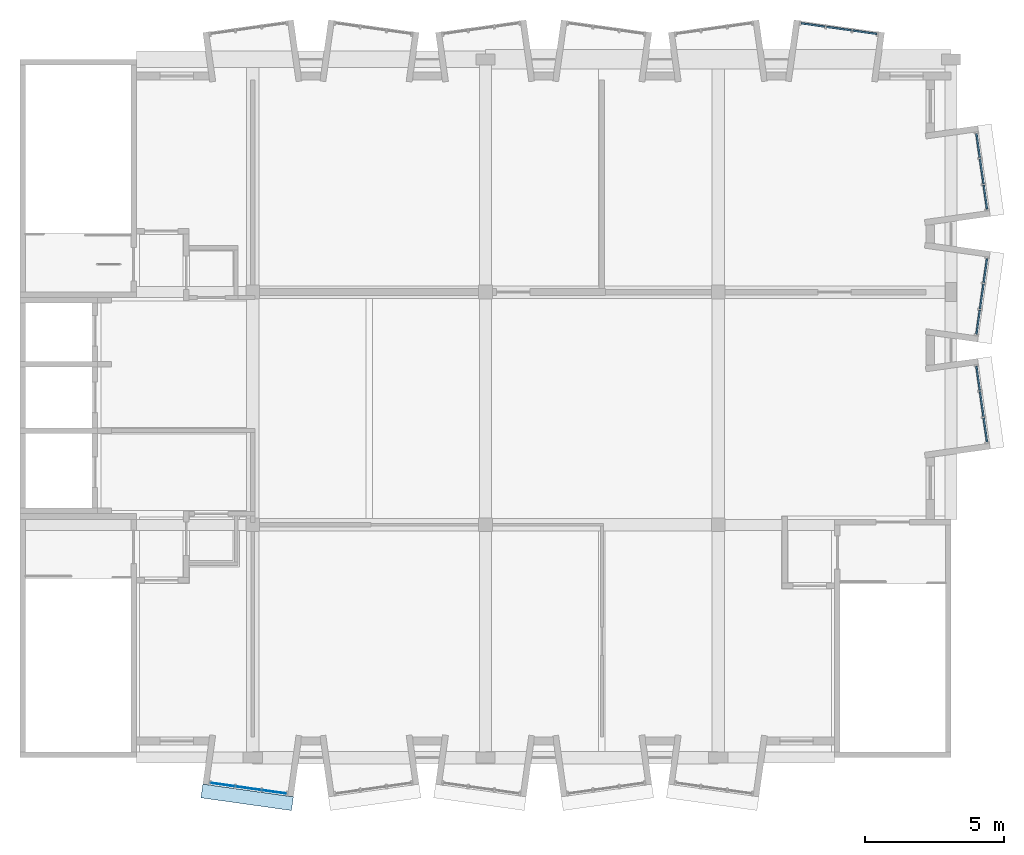
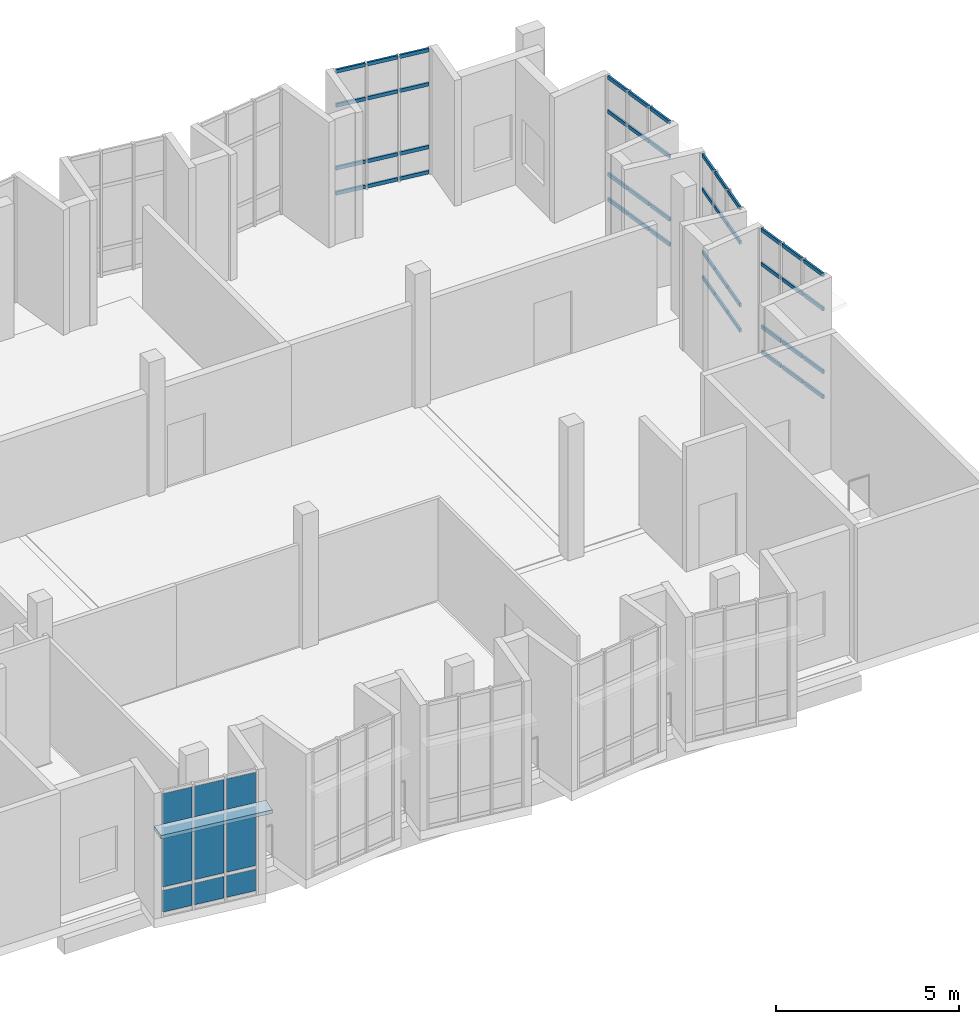
# One storey, part 7 of 15: 48 members, 10 plates, 5 elements without a shape of their own.
"""IFC4 building model written with IfcOpenShell, lengths in metres."""

from ifc_helpers import new_model, si_unit, direction, frame, origin, origin_2d, place, context, subcontext, project, spatial, polyline, rectangle, outline, extrude, material, layer, layer_set, material_profile, profile_set, type_object, element, aggregate, save


model = new_model("IFC4")

# Units and contexts
model_context = context("Model", 3, precision=1e-05, world=origin(), true_north=direction((0.0, 1.0)))
body_context = subcontext(model_context, "Body", "Model", "MODEL_VIEW")
ifc_project = project(units=[si_unit("LENGTHUNIT", "METRE"), si_unit("AREAUNIT", "SQUARE_METRE"), si_unit("VOLUMEUNIT", "CUBIC_METRE"), si_unit("PLANEANGLEUNIT", "RADIAN"), si_unit("MASSUNIT", "GRAM", prefix="KILO")], contexts=[model_context])

# Site, building, storey
site_placement = place(None, origin())
site = spatial("IfcSite", under=ifc_project, at=site_placement, CompositionType="ELEMENT")
building_placement = place(site_placement, origin())
building = spatial("IfcBuilding", under=site, at=building_placement, Name="Kiln Court Media Centre", CompositionType="ELEMENT")
storey_placement = place(building_placement, frame((0.0, 0.0, 38.10009765625)))
storey = spatial("IfcBuildingStorey", under=building, at=storey_placement, Name="L08", CompositionType="ELEMENT", Elevation=38.10009765625)

# Curtain wall, members
ifc_material_1 = material(Name="Aluminium 6063-T6", Category="aluminium")
ifc_layer_1 = layer(ifc_material_1, 0.1201171875)
ifc_layer_set_1 = layer_set([ifc_layer_1], Name="Aluminium unitised bay curtain wall")
curtain_wall_type = type_object("IfcCurtainWallType", Name="Aluminium unitised bay curtain wall", PredefinedType="USERDEFINED", material=ifc_layer_set_1)
curtain_wall_1_placement = place(storey_placement, origin())
curtain_wall_1 = element("IfcCurtainWall", 1, at=curtain_wall_1_placement, inside=storey, type_object=curtain_wall_type, Name="BAY V6A-E-L08-20 front", ObjectType="UNITISED CURTAIN WALL", PredefinedType="USERDEFINED")
ifc_material_2 = material(Name="Aluminium 6063-T6", Category="aluminium")
ifc_material_profile = material_profile(ifc_material_2, rectangle(XDim=0.06005859375, YDim=0.1201171875, at=origin_2d()), Name="Aluminium transom 60x120")
ifc_profile_set = profile_set([ifc_material_profile], Name="Aluminium 6063-T6")
member_type = type_object("IfcMemberType", Name="Aluminium transom 60x120", PredefinedType="USERDEFINED", material=ifc_profile_set)
member_1_placement = place(storey_placement, frame((34.900390625, 11.394287109375, 0.059814453125), z_axis=(-0.139172815303, 0.990268108888, 0.0), x_axis=(-0.990268108888, -0.139172815303, 0.0)))
member_1 = element("IfcMember", 2, at=member_1_placement, type_object=member_type, Name="CW8-01 transom 1.1", ObjectType="TRANSOM", PredefinedType="USERDEFINED", context=body_context, shape_type="SweptSolid", body=[
    extrude(rectangle(XDim=0.06005859375, YDim=0.1201171875, at=origin_2d()), origin(), (0.0, 0.0, 1.0), 0.86669921875),
])
member_2_placement = place(storey_placement, frame((34.900390625, 11.394287109375, 0.89990234375), z_axis=(-0.139172815303, 0.990268108888, 0.0), x_axis=(-0.990268108888, -0.139172815303, 0.0)))
member_2 = element("IfcMember", 3, at=member_2_placement, type_object=member_type, Name="CW8-01 transom 1.2", ObjectType="TRANSOM", PredefinedType="USERDEFINED", context=body_context, shape_type="SweptSolid", body=[
    extrude(rectangle(XDim=0.06005859375, YDim=0.1201171875, at=origin_2d()), origin(), (0.0, 0.0, 1.0), 0.86669921875),
])
member_3_placement = place(storey_placement, frame((34.900390625, 11.394287109375, 3.0), z_axis=(-0.139172815303, 0.990268108888, 0.0), x_axis=(-0.990268108888, -0.139172815303, 0.0)))
member_3 = element("IfcMember", 4, at=member_3_placement, type_object=member_type, Name="CW8-01 transom 1.3", ObjectType="TRANSOM", PredefinedType="USERDEFINED", context=body_context, shape_type="SweptSolid", body=[
    extrude(rectangle(XDim=0.06005859375, YDim=0.1201171875, at=origin_2d()), origin(), (0.0, 0.0, 1.0), 0.86669921875),
])
member_4_placement = place(storey_placement, frame((34.900390625, 11.394287109375, 4.139892578125), z_axis=(-0.139172815303, 0.990268108888, 0.0), x_axis=(-0.990268108888, -0.139172815303, 0.0)))
member_4 = element("IfcMember", 5, at=member_4_placement, type_object=member_type, Name="CW8-01 transom 1.4", ObjectType="TRANSOM", PredefinedType="USERDEFINED", context=body_context, shape_type="SweptSolid", body=[
    extrude(rectangle(XDim=0.06005859375, YDim=0.1201171875, at=origin_2d()), origin(), (0.0, 0.0, 1.0), 0.86669921875),
])
member_5_placement = place(storey_placement, frame((34.771484375, 12.311767578125, 0.059814453125), z_axis=(-0.13913384707, 0.990273584723, 0.0), x_axis=(-0.990273584723, -0.13913384707, 0.0)))
member_5 = element("IfcMember", 6, at=member_5_placement, type_object=member_type, Name="CW8-01 transom 2.1", ObjectType="TRANSOM", PredefinedType="USERDEFINED", context=body_context, shape_type="SweptSolid", body=[
    extrude(rectangle(XDim=0.06005859375, YDim=0.1201171875, at=origin_2d()), origin(), (0.0, 0.0, 1.0), 0.896728515625),
])
member_6_placement = place(storey_placement, frame((34.771484375, 12.311767578125, 0.89990234375), z_axis=(-0.13913384707, 0.990273584723, 0.0), x_axis=(-0.990273584723, -0.13913384707, 0.0)))
member_6 = element("IfcMember", 7, at=member_6_placement, type_object=member_type, Name="CW8-01 transom 2.2", ObjectType="TRANSOM", PredefinedType="USERDEFINED", context=body_context, shape_type="SweptSolid", body=[
    extrude(rectangle(XDim=0.06005859375, YDim=0.1201171875, at=origin_2d()), origin(), (0.0, 0.0, 1.0), 0.896728515625),
])
member_7_placement = place(storey_placement, frame((34.771484375, 12.311767578125, 3.0), z_axis=(-0.13913384707, 0.990273584723, 0.0), x_axis=(-0.990273584723, -0.13913384707, 0.0)))
member_7 = element("IfcMember", 8, at=member_7_placement, type_object=member_type, Name="CW8-01 transom 2.3", ObjectType="TRANSOM", PredefinedType="USERDEFINED", context=body_context, shape_type="SweptSolid", body=[
    extrude(rectangle(XDim=0.06005859375, YDim=0.1201171875, at=origin_2d()), origin(), (0.0, 0.0, 1.0), 0.896728515625),
])
member_8_placement = place(storey_placement, frame((34.771484375, 12.311767578125, 4.139892578125), z_axis=(-0.13913384707, 0.990273584723, 0.0), x_axis=(-0.990273584723, -0.13913384707, 0.0)))
member_8 = element("IfcMember", 9, at=member_8_placement, type_object=member_type, Name="CW8-01 transom 2.4", ObjectType="TRANSOM", PredefinedType="USERDEFINED", context=body_context, shape_type="SweptSolid", body=[
    extrude(rectangle(XDim=0.06005859375, YDim=0.1201171875, at=origin_2d()), origin(), (0.0, 0.0, 1.0), 0.896728515625),
])
member_9_placement = place(storey_placement, frame((34.638427734375, 13.25927734375, 0.059814453125), z_axis=(-0.139172815303, 0.990268108888, 0.0), x_axis=(-0.990268108888, -0.139172815303, 0.0)))
member_9 = element("IfcMember", 10, at=member_9_placement, type_object=member_type, Name="CW8-01 transom 3.1", ObjectType="TRANSOM", PredefinedType="USERDEFINED", context=body_context, shape_type="SweptSolid", body=[
    extrude(rectangle(XDim=0.06005859375, YDim=0.1201171875, at=origin_2d()), origin(), (0.0, 0.0, 1.0), 0.86669921875),
])
member_10_placement = place(storey_placement, frame((34.638427734375, 13.25927734375, 0.89990234375), z_axis=(-0.139172815303, 0.990268108888, 0.0), x_axis=(-0.990268108888, -0.139172815303, 0.0)))
member_10 = element("IfcMember", 11, at=member_10_placement, type_object=member_type, Name="CW8-01 transom 3.2", ObjectType="TRANSOM", PredefinedType="USERDEFINED", context=body_context, shape_type="SweptSolid", body=[
    extrude(rectangle(XDim=0.06005859375, YDim=0.1201171875, at=origin_2d()), origin(), (0.0, 0.0, 1.0), 0.86669921875),
])
member_11_placement = place(storey_placement, frame((34.638427734375, 13.25927734375, 3.0), z_axis=(-0.139172815303, 0.990268108888, 0.0), x_axis=(-0.990268108888, -0.139172815303, 0.0)))
member_11 = element("IfcMember", 12, at=member_11_placement, type_object=member_type, Name="CW8-01 transom 3.3", ObjectType="TRANSOM", PredefinedType="USERDEFINED", context=body_context, shape_type="SweptSolid", body=[
    extrude(rectangle(XDim=0.06005859375, YDim=0.1201171875, at=origin_2d()), origin(), (0.0, 0.0, 1.0), 0.86669921875),
])
member_12_placement = place(storey_placement, frame((34.638427734375, 13.25927734375, 4.139892578125), z_axis=(-0.139172815303, 0.990268108888, 0.0), x_axis=(-0.990268108888, -0.139172815303, 0.0)))
member_12 = element("IfcMember", 13, at=member_12_placement, type_object=member_type, Name="CW8-01 transom 3.4", ObjectType="TRANSOM", PredefinedType="USERDEFINED", context=body_context, shape_type="SweptSolid", body=[
    extrude(rectangle(XDim=0.06005859375, YDim=0.1201171875, at=origin_2d()), origin(), (0.0, 0.0, 1.0), 0.86669921875),
])
aggregate(curtain_wall_1, [member_1, member_2, member_3, member_4, member_5, member_6, member_7, member_8, member_9, member_10, member_11, member_12])

curtain_wall_2_placement = place(storey_placement, origin())
curtain_wall_2 = element("IfcCurtainWall", 14, at=curtain_wall_2_placement, inside=storey, type_object=curtain_wall_type, Name="BAY V6A-E-L08-21 front", ObjectType="UNITISED CURTAIN WALL", PredefinedType="USERDEFINED")
member_13_placement = place(storey_placement, frame((34.517822265625, 15.282470703125, 0.059814453125), z_axis=(0.139133998951, 0.990273563383, 0.0), x_axis=(-0.990273563383, 0.139133998951, 0.0)))
member_13 = element("IfcMember", 15, at=member_13_placement, type_object=member_type, Name="CW8-02 transom 1.1", ObjectType="TRANSOM", PredefinedType="USERDEFINED", context=body_context, shape_type="SweptSolid", body=[
    extrude(rectangle(XDim=0.06005859375, YDim=0.1201171875, at=origin_2d()), origin(), (0.0, 0.0, 1.0), 0.866943359375),
])
member_14_placement = place(storey_placement, frame((34.517822265625, 15.282470703125, 0.89990234375), z_axis=(0.139133998951, 0.990273563383, 0.0), x_axis=(-0.990273563383, 0.139133998951, 0.0)))
member_14 = element("IfcMember", 16, at=member_14_placement, type_object=member_type, Name="CW8-02 transom 1.2", ObjectType="TRANSOM", PredefinedType="USERDEFINED", context=body_context, shape_type="SweptSolid", body=[
    extrude(rectangle(XDim=0.06005859375, YDim=0.1201171875, at=origin_2d()), origin(), (0.0, 0.0, 1.0), 0.866943359375),
])
member_15_placement = place(storey_placement, frame((34.517822265625, 15.282470703125, 3.0), z_axis=(0.139133998951, 0.990273563383, 0.0), x_axis=(-0.990273563383, 0.139133998951, 0.0)))
member_15 = element("IfcMember", 17, at=member_15_placement, type_object=member_type, Name="CW8-02 transom 1.3", ObjectType="TRANSOM", PredefinedType="USERDEFINED", context=body_context, shape_type="SweptSolid", body=[
    extrude(rectangle(XDim=0.06005859375, YDim=0.1201171875, at=origin_2d()), origin(), (0.0, 0.0, 1.0), 0.866943359375),
])
member_16_placement = place(storey_placement, frame((34.517822265625, 15.282470703125, 4.139892578125), z_axis=(0.139133998951, 0.990273563383, 0.0), x_axis=(-0.990273563383, 0.139133998951, 0.0)))
member_16 = element("IfcMember", 18, at=member_16_placement, type_object=member_type, Name="CW8-02 transom 1.4", ObjectType="TRANSOM", PredefinedType="USERDEFINED", context=body_context, shape_type="SweptSolid", body=[
    extrude(rectangle(XDim=0.06005859375, YDim=0.1201171875, at=origin_2d()), origin(), (0.0, 0.0, 1.0), 0.866943359375),
])
member_17_placement = place(storey_placement, frame((34.646728515625, 16.2001953125, 0.059814453125), z_axis=(0.13913384707, 0.990273584723, 0.0), x_axis=(-0.990273584723, 0.13913384707, 0.0)))
member_17 = element("IfcMember", 19, at=member_17_placement, type_object=member_type, Name="CW8-02 transom 2.1", ObjectType="TRANSOM", PredefinedType="USERDEFINED", context=body_context, shape_type="SweptSolid", body=[
    extrude(rectangle(XDim=0.06005859375, YDim=0.1201171875, at=origin_2d()), origin(), (0.0, 0.0, 1.0), 0.896728515625),
])
member_18_placement = place(storey_placement, frame((34.646728515625, 16.2001953125, 0.89990234375), z_axis=(0.13913384707, 0.990273584723, 0.0), x_axis=(-0.990273584723, 0.13913384707, 0.0)))
member_18 = element("IfcMember", 20, at=member_18_placement, type_object=member_type, Name="CW8-02 transom 2.2", ObjectType="TRANSOM", PredefinedType="USERDEFINED", context=body_context, shape_type="SweptSolid", body=[
    extrude(rectangle(XDim=0.06005859375, YDim=0.1201171875, at=origin_2d()), origin(), (0.0, 0.0, 1.0), 0.896728515625),
])
member_19_placement = place(storey_placement, frame((34.646728515625, 16.2001953125, 3.0), z_axis=(0.13913384707, 0.990273584723, 0.0), x_axis=(-0.990273584723, 0.13913384707, 0.0)))
member_19 = element("IfcMember", 21, at=member_19_placement, type_object=member_type, Name="CW8-02 transom 2.3", ObjectType="TRANSOM", PredefinedType="USERDEFINED", context=body_context, shape_type="SweptSolid", body=[
    extrude(rectangle(XDim=0.06005859375, YDim=0.1201171875, at=origin_2d()), origin(), (0.0, 0.0, 1.0), 0.896728515625),
])
member_20_placement = place(storey_placement, frame((34.646728515625, 16.2001953125, 4.139892578125), z_axis=(0.13913384707, 0.990273584723, 0.0), x_axis=(-0.990273584723, 0.13913384707, 0.0)))
member_20 = element("IfcMember", 22, at=member_20_placement, type_object=member_type, Name="CW8-02 transom 2.4", ObjectType="TRANSOM", PredefinedType="USERDEFINED", context=body_context, shape_type="SweptSolid", body=[
    extrude(rectangle(XDim=0.06005859375, YDim=0.1201171875, at=origin_2d()), origin(), (0.0, 0.0, 1.0), 0.896728515625),
])
member_21_placement = place(storey_placement, frame((34.77978515625, 17.1474609375, 0.059814453125), z_axis=(0.139133998951, 0.990273563383, 0.0), x_axis=(-0.990273563383, 0.139133998951, 0.0)))
member_21 = element("IfcMember", 23, at=member_21_placement, type_object=member_type, Name="CW8-02 transom 3.1", ObjectType="TRANSOM", PredefinedType="USERDEFINED", context=body_context, shape_type="SweptSolid", body=[
    extrude(rectangle(XDim=0.06005859375, YDim=0.1201171875, at=origin_2d()), origin(), (0.0, 0.0, 1.0), 0.866943359375),
])
member_22_placement = place(storey_placement, frame((34.77978515625, 17.1474609375, 0.89990234375), z_axis=(0.139133998951, 0.990273563383, 0.0), x_axis=(-0.990273563383, 0.139133998951, 0.0)))
member_22 = element("IfcMember", 24, at=member_22_placement, type_object=member_type, Name="CW8-02 transom 3.2", ObjectType="TRANSOM", PredefinedType="USERDEFINED", context=body_context, shape_type="SweptSolid", body=[
    extrude(rectangle(XDim=0.06005859375, YDim=0.1201171875, at=origin_2d()), origin(), (0.0, 0.0, 1.0), 0.866943359375),
])
member_23_placement = place(storey_placement, frame((34.77978515625, 17.1474609375, 3.0), z_axis=(0.139133998951, 0.990273563383, 0.0), x_axis=(-0.990273563383, 0.139133998951, 0.0)))
member_23 = element("IfcMember", 25, at=member_23_placement, type_object=member_type, Name="CW8-02 transom 3.3", ObjectType="TRANSOM", PredefinedType="USERDEFINED", context=body_context, shape_type="SweptSolid", body=[
    extrude(rectangle(XDim=0.06005859375, YDim=0.1201171875, at=origin_2d()), origin(), (0.0, 0.0, 1.0), 0.866943359375),
])
member_24_placement = place(storey_placement, frame((34.77978515625, 17.1474609375, 4.139892578125), z_axis=(0.139133998951, 0.990273563383, 0.0), x_axis=(-0.990273563383, 0.139133998951, 0.0)))
member_24 = element("IfcMember", 26, at=member_24_placement, type_object=member_type, Name="CW8-02 transom 3.4", ObjectType="TRANSOM", PredefinedType="USERDEFINED", context=body_context, shape_type="SweptSolid", body=[
    extrude(rectangle(XDim=0.06005859375, YDim=0.1201171875, at=origin_2d()), origin(), (0.0, 0.0, 1.0), 0.866943359375),
])
aggregate(curtain_wall_2, [member_13, member_14, member_15, member_16, member_17, member_18, member_19, member_20, member_21, member_22, member_23, member_24])

curtain_wall_3_placement = place(storey_placement, origin())
curtain_wall_3 = element("IfcCurtainWall", 27, at=curtain_wall_3_placement, inside=storey, type_object=curtain_wall_type, Name="BAY V6A-E-L08-22 front", ObjectType="UNITISED CURTAIN WALL", PredefinedType="USERDEFINED")
member_25_placement = place(storey_placement, frame((34.900390625, 19.794189453125, 0.059814453125), z_axis=(-0.139172815303, 0.990268108888, 0.0), x_axis=(-0.990268108888, -0.139172815303, 0.0)))
member_25 = element("IfcMember", 28, at=member_25_placement, type_object=member_type, Name="CW8-03 transom 1.1", ObjectType="TRANSOM", PredefinedType="USERDEFINED", context=body_context, shape_type="SweptSolid", body=[
    extrude(rectangle(XDim=0.06005859375, YDim=0.1201171875, at=origin_2d()), origin(), (0.0, 0.0, 1.0), 0.86669921875),
])
member_26_placement = place(storey_placement, frame((34.900390625, 19.794189453125, 0.89990234375), z_axis=(-0.139172815303, 0.990268108888, 0.0), x_axis=(-0.990268108888, -0.139172815303, 0.0)))
member_26 = element("IfcMember", 29, at=member_26_placement, type_object=member_type, Name="CW8-03 transom 1.2", ObjectType="TRANSOM", PredefinedType="USERDEFINED", context=body_context, shape_type="SweptSolid", body=[
    extrude(rectangle(XDim=0.06005859375, YDim=0.1201171875, at=origin_2d()), origin(), (0.0, 0.0, 1.0), 0.86669921875),
])
member_27_placement = place(storey_placement, frame((34.900390625, 19.794189453125, 3.0), z_axis=(-0.139172815303, 0.990268108888, 0.0), x_axis=(-0.990268108888, -0.139172815303, 0.0)))
member_27 = element("IfcMember", 30, at=member_27_placement, type_object=member_type, Name="CW8-03 transom 1.3", ObjectType="TRANSOM", PredefinedType="USERDEFINED", context=body_context, shape_type="SweptSolid", body=[
    extrude(rectangle(XDim=0.06005859375, YDim=0.1201171875, at=origin_2d()), origin(), (0.0, 0.0, 1.0), 0.86669921875),
])
member_28_placement = place(storey_placement, frame((34.900390625, 19.794189453125, 4.139892578125), z_axis=(-0.139172815303, 0.990268108888, 0.0), x_axis=(-0.990268108888, -0.139172815303, 0.0)))
member_28 = element("IfcMember", 31, at=member_28_placement, type_object=member_type, Name="CW8-03 transom 1.4", ObjectType="TRANSOM", PredefinedType="USERDEFINED", context=body_context, shape_type="SweptSolid", body=[
    extrude(rectangle(XDim=0.06005859375, YDim=0.1201171875, at=origin_2d()), origin(), (0.0, 0.0, 1.0), 0.86669921875),
])
member_29_placement = place(storey_placement, frame((34.771484375, 20.7119140625, 0.059814453125), z_axis=(-0.13913384707, 0.990273584723, 0.0), x_axis=(-0.990273584723, -0.13913384707, 0.0)))
member_29 = element("IfcMember", 32, at=member_29_placement, type_object=member_type, Name="CW8-03 transom 2.1", ObjectType="TRANSOM", PredefinedType="USERDEFINED", context=body_context, shape_type="SweptSolid", body=[
    extrude(rectangle(XDim=0.06005859375, YDim=0.1201171875, at=origin_2d()), origin(), (0.0, 0.0, 1.0), 0.896728515625),
])
member_30_placement = place(storey_placement, frame((34.771484375, 20.7119140625, 0.89990234375), z_axis=(-0.13913384707, 0.990273584723, 0.0), x_axis=(-0.990273584723, -0.13913384707, 0.0)))
member_30 = element("IfcMember", 33, at=member_30_placement, type_object=member_type, Name="CW8-03 transom 2.2", ObjectType="TRANSOM", PredefinedType="USERDEFINED", context=body_context, shape_type="SweptSolid", body=[
    extrude(rectangle(XDim=0.06005859375, YDim=0.1201171875, at=origin_2d()), origin(), (0.0, 0.0, 1.0), 0.896728515625),
])
member_31_placement = place(storey_placement, frame((34.771484375, 20.7119140625, 3.0), z_axis=(-0.13913384707, 0.990273584723, 0.0), x_axis=(-0.990273584723, -0.13913384707, 0.0)))
member_31 = element("IfcMember", 34, at=member_31_placement, type_object=member_type, Name="CW8-03 transom 2.3", ObjectType="TRANSOM", PredefinedType="USERDEFINED", context=body_context, shape_type="SweptSolid", body=[
    extrude(rectangle(XDim=0.06005859375, YDim=0.1201171875, at=origin_2d()), origin(), (0.0, 0.0, 1.0), 0.896728515625),
])
member_32_placement = place(storey_placement, frame((34.771484375, 20.7119140625, 4.139892578125), z_axis=(-0.13913384707, 0.990273584723, 0.0), x_axis=(-0.990273584723, -0.13913384707, 0.0)))
member_32 = element("IfcMember", 35, at=member_32_placement, type_object=member_type, Name="CW8-03 transom 2.4", ObjectType="TRANSOM", PredefinedType="USERDEFINED", context=body_context, shape_type="SweptSolid", body=[
    extrude(rectangle(XDim=0.06005859375, YDim=0.1201171875, at=origin_2d()), origin(), (0.0, 0.0, 1.0), 0.896728515625),
])
member_33_placement = place(storey_placement, frame((34.638427734375, 21.6591796875, 0.059814453125), z_axis=(-0.139133998951, 0.990273563383, 0.0), x_axis=(-0.990273563383, -0.139133998951, 0.0)))
member_33 = element("IfcMember", 36, at=member_33_placement, type_object=member_type, Name="CW8-03 transom 3.1", ObjectType="TRANSOM", PredefinedType="USERDEFINED", context=body_context, shape_type="SweptSolid", body=[
    extrude(rectangle(XDim=0.06005859375, YDim=0.1201171875, at=origin_2d()), origin(), (0.0, 0.0, 1.0), 0.866943359375),
])
member_34_placement = place(storey_placement, frame((34.638427734375, 21.6591796875, 0.89990234375), z_axis=(-0.139133998951, 0.990273563383, 0.0), x_axis=(-0.990273563383, -0.139133998951, 0.0)))
member_34 = element("IfcMember", 37, at=member_34_placement, type_object=member_type, Name="CW8-03 transom 3.2", ObjectType="TRANSOM", PredefinedType="USERDEFINED", context=body_context, shape_type="SweptSolid", body=[
    extrude(rectangle(XDim=0.06005859375, YDim=0.1201171875, at=origin_2d()), origin(), (0.0, 0.0, 1.0), 0.866943359375),
])
member_35_placement = place(storey_placement, frame((34.638427734375, 21.6591796875, 3.0), z_axis=(-0.139133998951, 0.990273563383, 0.0), x_axis=(-0.990273563383, -0.139133998951, 0.0)))
member_35 = element("IfcMember", 38, at=member_35_placement, type_object=member_type, Name="CW8-03 transom 3.3", ObjectType="TRANSOM", PredefinedType="USERDEFINED", context=body_context, shape_type="SweptSolid", body=[
    extrude(rectangle(XDim=0.06005859375, YDim=0.1201171875, at=origin_2d()), origin(), (0.0, 0.0, 1.0), 0.866943359375),
])
member_36_placement = place(storey_placement, frame((34.638427734375, 21.6591796875, 4.139892578125), z_axis=(-0.139133998951, 0.990273563383, 0.0), x_axis=(-0.990273563383, -0.139133998951, 0.0)))
member_36 = element("IfcMember", 39, at=member_36_placement, type_object=member_type, Name="CW8-03 transom 3.4", ObjectType="TRANSOM", PredefinedType="USERDEFINED", context=body_context, shape_type="SweptSolid", body=[
    extrude(rectangle(XDim=0.06005859375, YDim=0.1201171875, at=origin_2d()), origin(), (0.0, 0.0, 1.0), 0.866943359375),
])
aggregate(curtain_wall_3, [member_25, member_26, member_27, member_28, member_29, member_30, member_31, member_32, member_33, member_34, member_35, member_36])

curtain_wall_4_placement = place(storey_placement, origin())
curtain_wall_4 = element("IfcCurtainWall", 40, at=curtain_wall_4_placement, inside=storey, type_object=curtain_wall_type, Name="BAY V6A-N-L08-58 front", ObjectType="UNITISED CURTAIN WALL", PredefinedType="USERDEFINED")
member_37_placement = place(storey_placement, frame((28.1943359375, 26.50048828125, 0.059814453125), z_axis=(0.990268108888, -0.139172815303, 0.0), x_axis=(0.139172815303, 0.990268108888, 0.0)))
member_37 = element("IfcMember", 41, at=member_37_placement, type_object=member_type, Name="CW8-09 transom 1.1", ObjectType="TRANSOM", PredefinedType="USERDEFINED", context=body_context, shape_type="SweptSolid", body=[
    extrude(rectangle(XDim=0.06005859375, YDim=0.1201171875, at=origin_2d()), origin(), (0.0, 0.0, 1.0), 0.86669921875),
])
member_38_placement = place(storey_placement, frame((28.1943359375, 26.50048828125, 0.89990234375), z_axis=(0.990268108888, -0.139172815303, 0.0), x_axis=(0.139172815303, 0.990268108888, 0.0)))
member_38 = element("IfcMember", 42, at=member_38_placement, type_object=member_type, Name="CW8-09 transom 1.2", ObjectType="TRANSOM", PredefinedType="USERDEFINED", context=body_context, shape_type="SweptSolid", body=[
    extrude(rectangle(XDim=0.06005859375, YDim=0.1201171875, at=origin_2d()), origin(), (0.0, 0.0, 1.0), 0.86669921875),
])
member_39_placement = place(storey_placement, frame((28.1943359375, 26.50048828125, 3.0), z_axis=(0.990268108888, -0.139172815303, 0.0), x_axis=(0.139172815303, 0.990268108888, 0.0)))
member_39 = element("IfcMember", 43, at=member_39_placement, type_object=member_type, Name="CW8-09 transom 1.3", ObjectType="TRANSOM", PredefinedType="USERDEFINED", context=body_context, shape_type="SweptSolid", body=[
    extrude(rectangle(XDim=0.06005859375, YDim=0.1201171875, at=origin_2d()), origin(), (0.0, 0.0, 1.0), 0.86669921875),
])
member_40_placement = place(storey_placement, frame((28.1943359375, 26.50048828125, 4.139892578125), z_axis=(0.990268108888, -0.139172815303, 0.0), x_axis=(0.139172815303, 0.990268108888, 0.0)))
member_40 = element("IfcMember", 44, at=member_40_placement, type_object=member_type, Name="CW8-09 transom 1.4", ObjectType="TRANSOM", PredefinedType="USERDEFINED", context=body_context, shape_type="SweptSolid", body=[
    extrude(rectangle(XDim=0.06005859375, YDim=0.1201171875, at=origin_2d()), origin(), (0.0, 0.0, 1.0), 0.86669921875),
])
member_41_placement = place(storey_placement, frame((29.11181640625, 26.37158203125, 0.059814453125), z_axis=(0.990273584723, -0.13913384707, 0.0), x_axis=(0.13913384707, 0.990273584723, 0.0)))
member_41 = element("IfcMember", 45, at=member_41_placement, type_object=member_type, Name="CW8-09 transom 2.1", ObjectType="TRANSOM", PredefinedType="USERDEFINED", context=body_context, shape_type="SweptSolid", body=[
    extrude(rectangle(XDim=0.06005859375, YDim=0.1201171875, at=origin_2d()), origin(), (0.0, 0.0, 1.0), 0.896728515625),
])
member_42_placement = place(storey_placement, frame((29.11181640625, 26.37158203125, 0.89990234375), z_axis=(0.990273584723, -0.13913384707, 0.0), x_axis=(0.13913384707, 0.990273584723, 0.0)))
member_42 = element("IfcMember", 46, at=member_42_placement, type_object=member_type, Name="CW8-09 transom 2.2", ObjectType="TRANSOM", PredefinedType="USERDEFINED", context=body_context, shape_type="SweptSolid", body=[
    extrude(rectangle(XDim=0.06005859375, YDim=0.1201171875, at=origin_2d()), origin(), (0.0, 0.0, 1.0), 0.896728515625),
])
member_43_placement = place(storey_placement, frame((29.11181640625, 26.37158203125, 3.0), z_axis=(0.990273584723, -0.13913384707, 0.0), x_axis=(0.13913384707, 0.990273584723, 0.0)))
member_43 = element("IfcMember", 47, at=member_43_placement, type_object=member_type, Name="CW8-09 transom 2.3", ObjectType="TRANSOM", PredefinedType="USERDEFINED", context=body_context, shape_type="SweptSolid", body=[
    extrude(rectangle(XDim=0.06005859375, YDim=0.1201171875, at=origin_2d()), origin(), (0.0, 0.0, 1.0), 0.896728515625),
])
member_44_placement = place(storey_placement, frame((29.11181640625, 26.37158203125, 4.139892578125), z_axis=(0.990273584723, -0.13913384707, 0.0), x_axis=(0.13913384707, 0.990273584723, 0.0)))
member_44 = element("IfcMember", 48, at=member_44_placement, type_object=member_type, Name="CW8-09 transom 2.4", ObjectType="TRANSOM", PredefinedType="USERDEFINED", context=body_context, shape_type="SweptSolid", body=[
    extrude(rectangle(XDim=0.06005859375, YDim=0.1201171875, at=origin_2d()), origin(), (0.0, 0.0, 1.0), 0.896728515625),
])
member_45_placement = place(storey_placement, frame((30.059326171875, 26.23828125, 0.059814453125), z_axis=(0.990268108888, -0.139172815303, 0.0), x_axis=(0.139172815303, 0.990268108888, 0.0)))
member_45 = element("IfcMember", 49, at=member_45_placement, type_object=member_type, Name="CW8-09 transom 3.1", ObjectType="TRANSOM", PredefinedType="USERDEFINED", context=body_context, shape_type="SweptSolid", body=[
    extrude(rectangle(XDim=0.06005859375, YDim=0.1201171875, at=origin_2d()), origin(), (0.0, 0.0, 1.0), 0.86669921875),
])
member_46_placement = place(storey_placement, frame((30.059326171875, 26.23828125, 0.89990234375), z_axis=(0.990268108888, -0.139172815303, 0.0), x_axis=(0.139172815303, 0.990268108888, 0.0)))
member_46 = element("IfcMember", 50, at=member_46_placement, type_object=member_type, Name="CW8-09 transom 3.2", ObjectType="TRANSOM", PredefinedType="USERDEFINED", context=body_context, shape_type="SweptSolid", body=[
    extrude(rectangle(XDim=0.06005859375, YDim=0.1201171875, at=origin_2d()), origin(), (0.0, 0.0, 1.0), 0.86669921875),
])
member_47_placement = place(storey_placement, frame((30.059326171875, 26.23828125, 3.0), z_axis=(0.990268108888, -0.139172815303, 0.0), x_axis=(0.139172815303, 0.990268108888, 0.0)))
member_47 = element("IfcMember", 51, at=member_47_placement, type_object=member_type, Name="CW8-09 transom 3.3", ObjectType="TRANSOM", PredefinedType="USERDEFINED", context=body_context, shape_type="SweptSolid", body=[
    extrude(rectangle(XDim=0.06005859375, YDim=0.1201171875, at=origin_2d()), origin(), (0.0, 0.0, 1.0), 0.86669921875),
])
member_48_placement = place(storey_placement, frame((30.059326171875, 26.23828125, 4.139892578125), z_axis=(0.990268108888, -0.139172815303, 0.0), x_axis=(0.139172815303, 0.990268108888, 0.0)))
member_48 = element("IfcMember", 52, at=member_48_placement, type_object=member_type, Name="CW8-09 transom 3.4", ObjectType="TRANSOM", PredefinedType="USERDEFINED", context=body_context, shape_type="SweptSolid", body=[
    extrude(rectangle(XDim=0.06005859375, YDim=0.1201171875, at=origin_2d()), origin(), (0.0, 0.0, 1.0), 0.86669921875),
])
aggregate(curtain_wall_4, [member_37, member_38, member_39, member_40, member_41, member_42, member_43, member_44, member_45, member_46, member_47, member_48])

# Plate
ifc_material_3 = material(Name="Concrete C30/37", Category="concrete")
ifc_layer_2 = layer(ifc_material_3, 0.1201171875)
ifc_layer_set_2 = layer_set([ifc_layer_2], Name="Concrete C30/37 sunshade hood 120")
plate_type_1 = type_object("IfcPlateType", Name="Concrete C30/37 sunshade hood 120", PredefinedType="USERDEFINED", material=ifc_layer_set_2)
plate_1_placement = place(storey_placement, frame((0.0, 0.0, 3.0)))
element("IfcPlate", 53, at=plate_1_placement, inside=storey, type_object=plate_type_1, Name="SUNSHADE V6A-S-L08-55", ObjectType="SUNSHADE", PredefinedType="USERDEFINED", context=body_context, shape_type="SweptSolid", body=[
    extrude(outline(polyline([(6.59912109375, -0.958740234375), (9.866943359375, -1.41796875), (9.79736328125, -1.9130859375), (6.529541015625, -1.453857421875), (6.59912109375, -0.958740234375)])), origin(), (0.0, 0.0, 1.0), 0.119873046875),
])

# Curtain wall, plates
curtain_wall_5_placement = place(storey_placement, origin())
curtain_wall_5 = element("IfcCurtainWall", 54, at=curtain_wall_5_placement, inside=storey, type_object=curtain_wall_type, Name="BAY V6A-S-L08-55 front", ObjectType="UNITISED CURTAIN WALL", PredefinedType="USERDEFINED")
ifc_material_4 = material(Name="Aluminium insulated spandrel", Category="aluminium")
ifc_layer_3 = layer(ifc_material_4, 0.028076171875)
ifc_layer_set_3 = layer_set([ifc_layer_3], Name="Insulated spandrel panel 28")
plate_type_2 = type_object("IfcPlateType", Name="Insulated spandrel panel 28", PredefinedType="CURTAIN_PANEL", material=ifc_layer_set_3)
plate_2_placement = place(storey_placement, frame((7.3115234375, -0.97802734375, 0.1201171875), z_axis=(0.0, 0.0, 1.0), x_axis=(0.990269562409, -0.139162472554, 0.0)))
plate_2 = element("IfcPlate", 55, at=plate_2_placement, type_object=plate_type_2, Name="CW8-10 panel 1.1", PredefinedType="CURTAIN_PANEL", context=body_context, shape_type="SweptSolid", body=[
    extrude(rectangle(XDim=0.86669921875, YDim=0.028076171875, at=origin_2d()), origin(), (0.0, 0.0, 1.0), 0.719970703125),
])
plate_3_placement = place(storey_placement, frame((8.244140625, -1.109130859375, 0.1201171875), z_axis=(0.0, 0.0, 1.0), x_axis=(0.990269562409, -0.139162472554, 0.0)))
plate_3 = element("IfcPlate", 56, at=plate_3_placement, type_object=plate_type_2, Name="CW8-10 panel 2.1", PredefinedType="CURTAIN_PANEL", context=body_context, shape_type="SweptSolid", body=[
    extrude(rectangle(XDim=0.896728515625, YDim=0.028076171875, at=origin_2d()), origin(), (0.0, 0.0, 1.0), 0.719970703125),
])
plate_4_placement = place(storey_placement, frame((9.1767578125, -1.240234375, 0.1201171875), z_axis=(0.0, 0.0, 1.0), x_axis=(0.990269562409, -0.139162472554, 0.0)))
plate_4 = element("IfcPlate", 57, at=plate_4_placement, type_object=plate_type_2, Name="CW8-10 panel 3.1", PredefinedType="CURTAIN_PANEL", context=body_context, shape_type="SweptSolid", body=[
    extrude(rectangle(XDim=0.86669921875, YDim=0.028076171875, at=origin_2d()), origin(), (0.0, 0.0, 1.0), 0.719970703125),
])
ifc_material_5 = material(Name="Low-E double glazing", Category="glass")
ifc_layer_4 = layer(ifc_material_5, 0.028076171875)
ifc_layer_set_4 = layer_set([ifc_layer_4], Name="Low-E double glazed panel 28")
plate_type_3 = type_object("IfcPlateType", Name="Low-E double glazed panel 28", PredefinedType="CURTAIN_PANEL", material=ifc_layer_set_4)
plate_5_placement = place(storey_placement, frame((7.3115234375, -0.97802734375, 0.9599609375), z_axis=(0.0, 0.0, 1.0), x_axis=(0.990269562409, -0.139162472554, 0.0)))
plate_5 = element("IfcPlate", 58, at=plate_5_placement, type_object=plate_type_3, Name="CW8-10 panel 1.2", PredefinedType="CURTAIN_PANEL", context=body_context, shape_type="SweptSolid", body=[
    extrude(rectangle(XDim=0.86669921875, YDim=0.028076171875, at=origin_2d()), origin(), (0.0, 0.0, 1.0), 1.97998046875),
])
plate_6_placement = place(storey_placement, frame((7.3115234375, -0.97802734375, 3.059814453125), z_axis=(0.0, 0.0, 1.0), x_axis=(0.990269562409, -0.139162472554, 0.0)))
plate_6 = element("IfcPlate", 59, at=plate_6_placement, type_object=plate_type_3, Name="CW8-10 panel 1.3", PredefinedType="CURTAIN_PANEL", context=body_context, shape_type="SweptSolid", body=[
    extrude(rectangle(XDim=0.86669921875, YDim=0.028076171875, at=origin_2d()), origin(), (0.0, 0.0, 1.0), 1.02001953125),
])
plate_7_placement = place(storey_placement, frame((8.244140625, -1.109130859375, 0.9599609375), z_axis=(0.0, 0.0, 1.0), x_axis=(0.990269562409, -0.139162472554, 0.0)))
plate_7 = element("IfcPlate", 60, at=plate_7_placement, type_object=plate_type_3, Name="CW8-10 panel 2.2", PredefinedType="CURTAIN_PANEL", context=body_context, shape_type="SweptSolid", body=[
    extrude(rectangle(XDim=0.896728515625, YDim=0.028076171875, at=origin_2d()), origin(), (0.0, 0.0, 1.0), 1.97998046875),
])
plate_8_placement = place(storey_placement, frame((8.244140625, -1.109130859375, 3.059814453125), z_axis=(0.0, 0.0, 1.0), x_axis=(0.990269562409, -0.139162472554, 0.0)))
plate_8 = element("IfcPlate", 61, at=plate_8_placement, type_object=plate_type_3, Name="CW8-10 panel 2.3", PredefinedType="CURTAIN_PANEL", context=body_context, shape_type="SweptSolid", body=[
    extrude(rectangle(XDim=0.896728515625, YDim=0.028076171875, at=origin_2d()), origin(), (0.0, 0.0, 1.0), 1.02001953125),
])
plate_9_placement = place(storey_placement, frame((9.1767578125, -1.240234375, 0.9599609375), z_axis=(0.0, 0.0, 1.0), x_axis=(0.990269562409, -0.139162472554, 0.0)))
plate_9 = element("IfcPlate", 62, at=plate_9_placement, type_object=plate_type_3, Name="CW8-10 panel 3.2", PredefinedType="CURTAIN_PANEL", context=body_context, shape_type="SweptSolid", body=[
    extrude(rectangle(XDim=0.86669921875, YDim=0.028076171875, at=origin_2d()), origin(), (0.0, 0.0, 1.0), 1.97998046875),
])
plate_10_placement = place(storey_placement, frame((9.1767578125, -1.240234375, 3.059814453125), z_axis=(0.0, 0.0, 1.0), x_axis=(0.990269562409, -0.139162472554, 0.0)))
plate_10 = element("IfcPlate", 63, at=plate_10_placement, type_object=plate_type_3, Name="CW8-10 panel 3.3", PredefinedType="CURTAIN_PANEL", context=body_context, shape_type="SweptSolid", body=[
    extrude(rectangle(XDim=0.86669921875, YDim=0.028076171875, at=origin_2d()), origin(), (0.0, 0.0, 1.0), 1.02001953125),
])
aggregate(curtain_wall_5, [plate_2, plate_5, plate_6, plate_3, plate_7, plate_8, plate_4, plate_9, plate_10])

save(model, "model.ifc")
